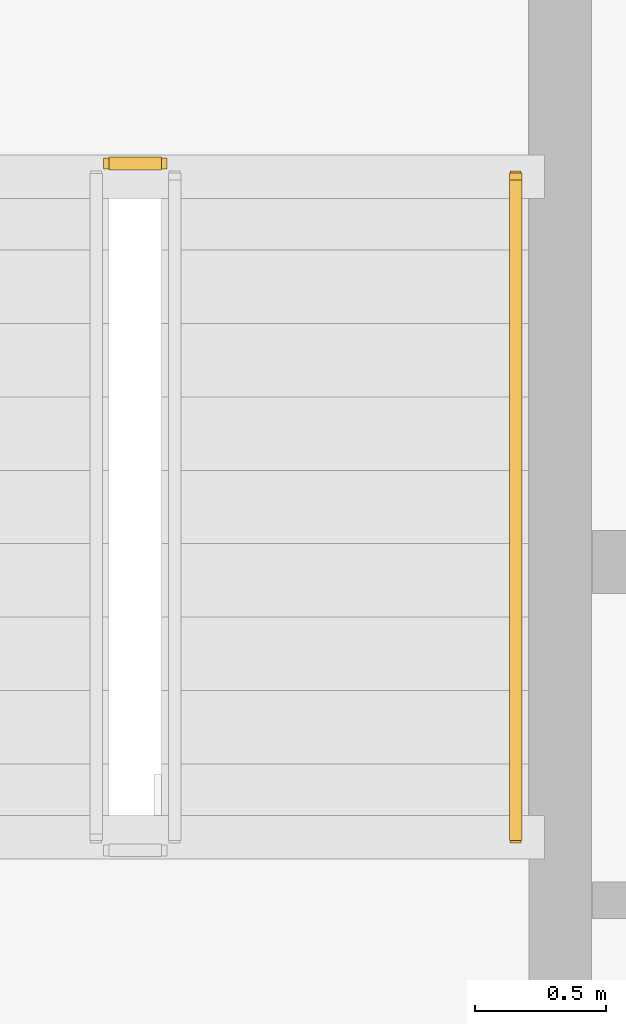
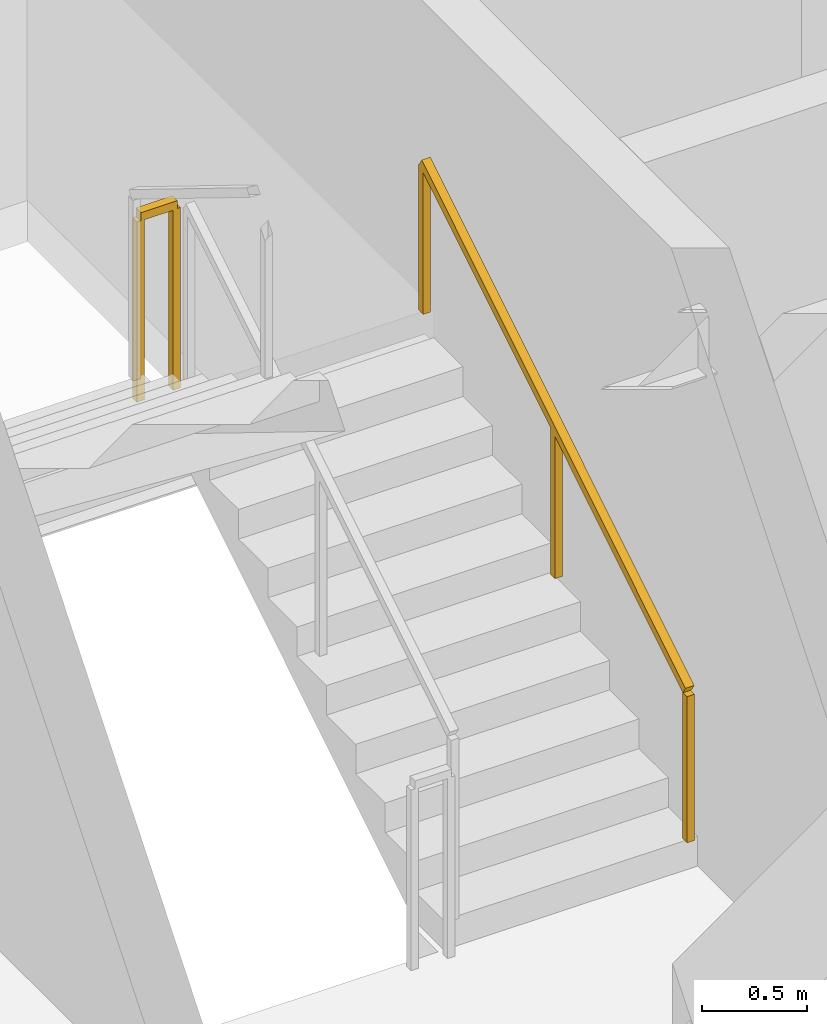
# One storey, part 10 of 11: 2 railings.
"""IFC4 building model written with IfcOpenShell, lengths in metres."""

from ifc_helpers import new_model, si_unit, direction, frame, origin, origin_2d, place, context, subcontext, project, spatial, rectangle, extrude, material, type_object, element, save


model = new_model("IFC4")

# Units and contexts
model_context = context("Model", 3, precision=1e-05, world=origin(), true_north=direction((0.0, 1.0)))
body_context = subcontext(model_context, "Body", "Model", "MODEL_VIEW")
ifc_project = project(units=[si_unit("LENGTHUNIT", "METRE"), si_unit("AREAUNIT", "SQUARE_METRE"), si_unit("VOLUMEUNIT", "CUBIC_METRE"), si_unit("PLANEANGLEUNIT", "RADIAN"), si_unit("MASSUNIT", "GRAM", prefix="KILO")], contexts=[model_context])

# Site, building, storey
site_placement = place(None, origin())
site = spatial("IfcSite", under=ifc_project, at=site_placement, CompositionType="ELEMENT")
building_placement = place(site_placement, origin())
building = spatial("IfcBuilding", under=site, at=building_placement, Name="Haldorwick Loom Tower", CompositionType="ELEMENT")
storey_placement = place(building_placement, frame((0.0, 0.0, 211.75)))
storey = spatial("IfcBuildingStorey", under=building, at=storey_placement, Name="L57", CompositionType="ELEMENT", Elevation=211.75)

# Railings
ifc_material = material(Name="Steel CSA G40.21 350W", Category="steel")
railing_type_1 = type_object("IfcRailingType", Name="ARC-RLG-GUARD112", PredefinedType="GUARDRAIL", material=ifc_material)
railing_1_placement = place(storey_placement, frame((31.85009765625, 30.969970703125, 1.72509765625)))
element("IfcRailing", 1, at=railing_1_placement, inside=storey, type_object=railing_type_1, Name="L57 ST-03 stair guard 2", PredefinedType="GUARDRAIL", context=body_context, shape_type="SweptSolid", body=[
    extrude(rectangle(XDim=0.048095703125, YDim=0.048095703125, at=origin_2d()), frame((0.0, 0.0, 1.076171875), z_axis=(-1.0, 0.0, 0.0), x_axis=(0.0, -1.0, 0.0)), (0.0, 0.0, 1.0), 0.2001953125),
    extrude(rectangle(XDim=0.0419921875, YDim=0.0419921875, at=origin_2d()), origin(), (0.0, 0.0, 1.0), 1.052001953125),
    extrude(rectangle(XDim=0.0419921875, YDim=0.0419921875, at=origin_2d()), frame((-0.2001953125, 0.0, 0.0)), (0.0, 0.0, 1.0), 1.052001953125),
])
railing_type_2 = type_object("IfcRailingType", Name="ARC-RLG-HAND092", PredefinedType="HANDRAIL", material=ifc_material)
railing_2_placement = place(storey_placement, frame((33.199951171875, 28.39990234375, 0.172607421875)))
element("IfcRailing", 2, at=railing_2_placement, inside=storey, type_object=railing_type_2, Name="L57 ST-03 stair handrail 1", PredefinedType="HANDRAIL", context=body_context, shape_type="SweptSolid", body=[
    extrude(rectangle(XDim=0.048095703125, YDim=0.048095703125, at=origin_2d()), frame((0.0, 0.0, 0.8759765625), z_axis=(0.0, 0.851400495292, 0.524516154772), x_axis=(-1.0, 0.0, 0.0)), (0.0, 0.0, 1.0), 2.9599609375),
    extrude(rectangle(XDim=0.0419921875, YDim=0.0419921875, at=origin_2d()), origin(), (0.0, 0.0, 1.0), 0.851806640625),
    extrude(rectangle(XDim=0.0419921875, YDim=0.0419921875, at=origin_2d()), frame((0.0, 1.260009765625, 0.7763671875)), (0.0, 0.0, 1.0), 0.851806640625),
    extrude(rectangle(XDim=0.0419921875, YDim=0.0419921875, at=origin_2d()), frame((0.0, 2.52001953125, 1.552490234375)), (0.0, 0.0, 1.0), 0.851806640625),
])

save(model, "model.ifc")
